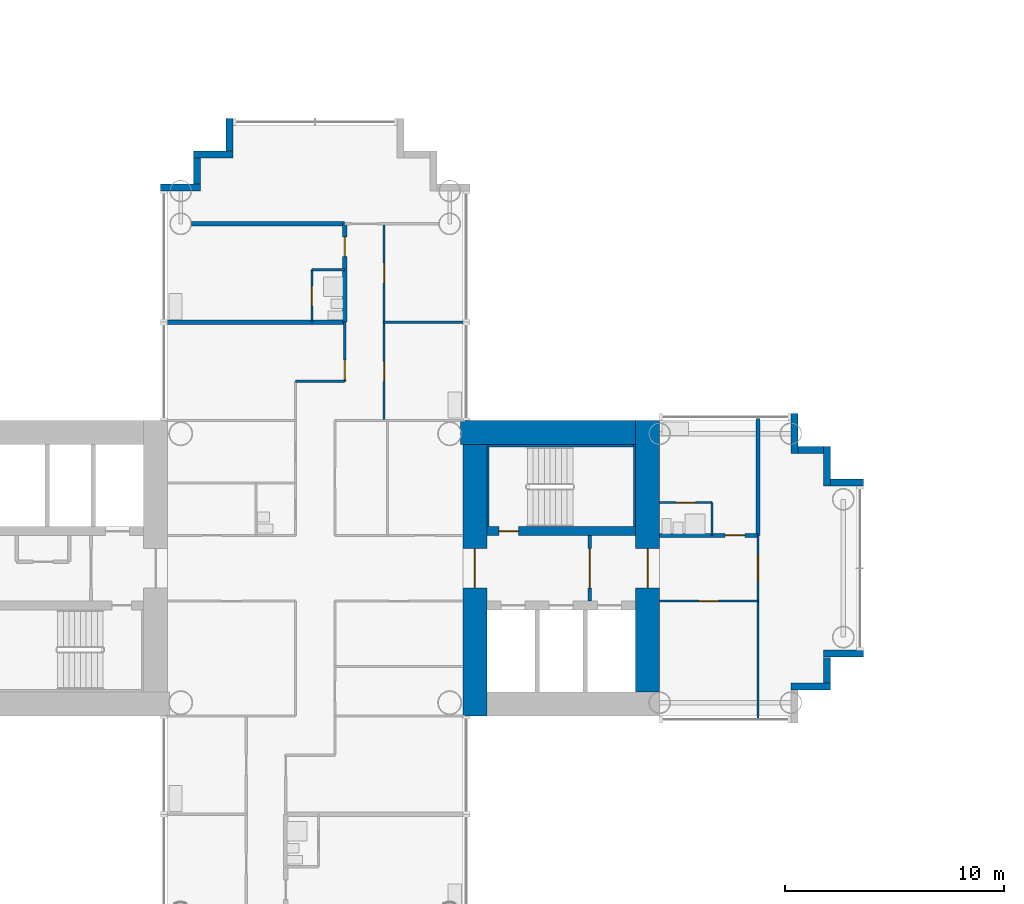
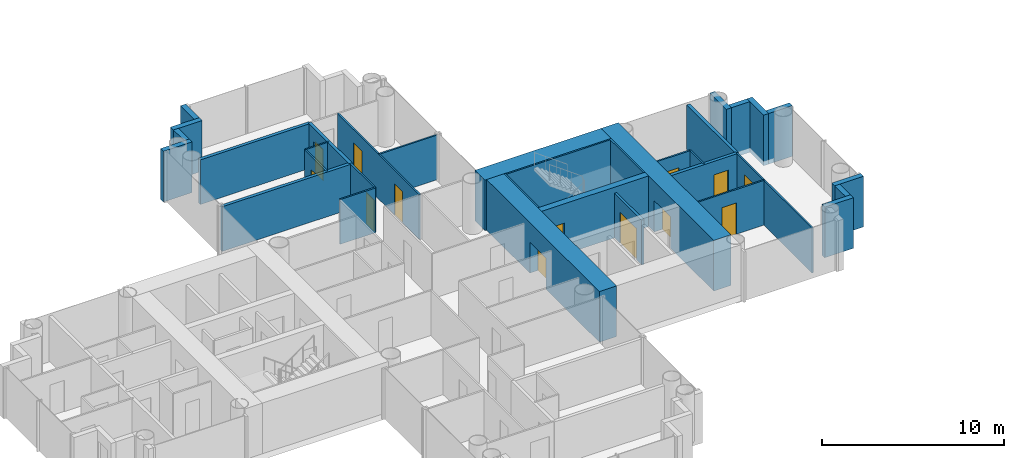
# One storey, part 11 of 22: 34 walls, 13 doors, 13 openings.
"""IFC4 building model written with IfcOpenShell, lengths in metres."""

from ifc_helpers import new_model, si_unit, direction, frame, frame_2d, origin, place, context, subcontext, project, spatial, rectangle, extrude, material, layer, layer_set, type_object, element, fill, save


model = new_model("IFC4")

# Units and contexts
model_context = context("Model", 3, precision=1e-05, world=origin(), true_north=direction((0.0, 1.0)))
body_context = subcontext(model_context, "Body", "Model", "MODEL_VIEW")
ifc_project = project(units=[si_unit("LENGTHUNIT", "METRE"), si_unit("AREAUNIT", "SQUARE_METRE"), si_unit("VOLUMEUNIT", "CUBIC_METRE"), si_unit("PLANEANGLEUNIT", "RADIAN"), si_unit("MASSUNIT", "GRAM", prefix="KILO")], contexts=[model_context])

# Site, building, storey
site_placement = place(None, origin())
site = spatial("IfcSite", under=ifc_project, at=site_placement, CompositionType="ELEMENT")
building_placement = place(site_placement, origin())
building = spatial("IfcBuilding", under=site, at=building_placement, Name="Ipe Terrace Towers", CompositionType="ELEMENT")
storey_placement = place(building_placement, frame((0.0, 0.0, 61.89990234375)))
storey = spatial("IfcBuildingStorey", under=building, at=storey_placement, Name="L16", CompositionType="ELEMENT", Elevation=61.89990234375)

# Walls
ifc_material_1 = material(Name="Concrete C40/50 with buff precast cladding", Category="concrete")
ifc_layer_1 = layer(ifc_material_1, 0.320068359375)
ifc_layer_set_1 = layer_set([ifc_layer_1], Name="BUFF CLADDING WALL 320")
wall_type_1 = type_object("IfcWallType", Name="BUFF CLADDING WALL 320", PredefinedType="STANDARD", material=ifc_layer_set_1)
wall_1_placement = place(storey_placement, frame((-14.25, -5.409912109375, -0.2998046875), z_axis=(0.0, 0.0, 1.0), x_axis=(1.0, 0.0, 0.0)))
element("IfcWall", 1, at=wall_1_placement, inside=storey, type_object=wall_type_1, Name="T1-W-L16-22a wall", PredefinedType="STANDARD", context=body_context, shape_type="SweptSolid", body=[
    extrude(rectangle(XDim=1.820068359375, YDim=0.320068359375, at=frame_2d((0.91015625, 0.0))), origin(), (0.0, 0.0, 1.0), 3.39990234375),
])
wall_2_placement = place(storey_placement, frame((-12.590087890625, -5.25, -0.2998046875), z_axis=(0.0, 0.0, 1.0), x_axis=(0.0, 1.0, 0.0)))
element("IfcWall", 2, at=wall_2_placement, inside=storey, type_object=wall_type_1, Name="T1-W-L16-23a wall", PredefinedType="STANDARD", context=body_context, shape_type="SweptSolid", body=[
    extrude(rectangle(XDim=1.179931640625, YDim=0.320068359375, at=frame_2d((0.58984375, 0.0))), origin(), (0.0, 0.0, 1.0), 3.39990234375),
])
wall_3_placement = place(storey_placement, frame((-12.75, -3.909912109375, -0.2998046875), z_axis=(0.0, 0.0, 1.0), x_axis=(1.0, 0.0, 0.0)))
element("IfcWall", 3, at=wall_3_placement, inside=storey, type_object=wall_type_1, Name="T1-W-L16-24a wall", PredefinedType="STANDARD", context=body_context, shape_type="SweptSolid", body=[
    extrude(rectangle(XDim=1.820068359375, YDim=0.320068359375, at=frame_2d((0.91015625, 0.0))), origin(), (0.0, 0.0, 1.0), 3.39990234375),
])
wall_4_placement = place(storey_placement, frame((-10.929931640625, 3.909912109375, -0.2998046875), z_axis=(0.0, 0.0, 1.0), x_axis=(-1.0, 0.0, 0.0)))
element("IfcWall", 4, at=wall_4_placement, inside=storey, type_object=wall_type_1, Name="T1-W-L16-26a wall", PredefinedType="STANDARD", context=body_context, shape_type="SweptSolid", body=[
    extrude(rectangle(XDim=1.5, YDim=0.320068359375, at=frame_2d((0.75, 0.0))), origin(), (0.0, 0.0, 1.0), 3.39990234375),
])
wall_5_placement = place(storey_placement, frame((-12.590087890625, 3.75, -0.2998046875), z_axis=(0.0, 0.0, 1.0), x_axis=(0.0, 1.0, 0.0)))
element("IfcWall", 5, at=wall_5_placement, inside=storey, type_object=wall_type_1, Name="T1-W-L16-27a wall", PredefinedType="STANDARD", context=body_context, shape_type="SweptSolid", body=[
    extrude(rectangle(XDim=1.820068359375, YDim=0.320068359375, at=frame_2d((0.91015625, 0.0))), origin(), (0.0, 0.0, 1.0), 3.39990234375),
])
wall_6_placement = place(storey_placement, frame((-12.75, 5.409912109375, -0.2998046875), z_axis=(0.0, 0.0, 1.0), x_axis=(-1.0, 0.0, 0.0)))
element("IfcWall", 6, at=wall_6_placement, inside=storey, type_object=wall_type_1, Name="T1-W-L16-28a wall", PredefinedType="STANDARD", context=body_context, shape_type="SweptSolid", body=[
    extrude(rectangle(XDim=1.179931640625, YDim=0.320068359375, at=frame_2d((0.58984375, 0.0))), origin(), (0.0, 0.0, 1.0), 3.39990234375),
])
wall_7_placement = place(storey_placement, frame((-14.090087890625, 5.25, -0.2998046875), z_axis=(0.0, 0.0, 1.0), x_axis=(0.0, 1.0, 0.0)))
element("IfcWall", 7, at=wall_7_placement, inside=storey, type_object=wall_type_1, Name="T1-W-L16-29a wall", PredefinedType="STANDARD", context=body_context, shape_type="SweptSolid", body=[
    extrude(rectangle(XDim=1.820068359375, YDim=0.320068359375, at=frame_2d((0.91015625, 0.0))), origin(), (0.0, 0.0, 1.0), 3.39990234375),
])
wall_8_placement = place(storey_placement, frame((-39.909912109375, 20.570068359375, -0.2998046875), z_axis=(0.0, 0.0, 1.0), x_axis=(0.0, -1.0, 0.0)))
element("IfcWall", 8, at=wall_8_placement, inside=storey, type_object=wall_type_1, Name="T1-W-L16-39a wall", PredefinedType="STANDARD", context=body_context, shape_type="SweptSolid", body=[
    extrude(rectangle(XDim=1.5, YDim=0.320068359375, at=frame_2d((0.75, 0.0))), origin(), (0.0, 0.0, 1.0), 3.39990234375),
])
wall_9_placement = place(storey_placement, frame((-39.75, 18.909912109375, -0.2998046875), z_axis=(0.0, 0.0, 1.0), x_axis=(-1.0, 0.0, 0.0)))
element("IfcWall", 9, at=wall_9_placement, inside=storey, type_object=wall_type_1, Name="T1-W-L16-40a wall", PredefinedType="STANDARD", context=body_context, shape_type="SweptSolid", body=[
    extrude(rectangle(XDim=1.820068359375, YDim=0.320068359375, at=frame_2d((0.91015625, 0.0))), origin(), (0.0, 0.0, 1.0), 3.39990234375),
])
wall_10_placement = place(storey_placement, frame((-41.409912109375, 18.75, -0.2998046875), z_axis=(0.0, 0.0, 1.0), x_axis=(0.0, -1.0, 0.0)))
element("IfcWall", 10, at=wall_10_placement, inside=storey, type_object=wall_type_1, Name="T1-W-L16-41a wall", PredefinedType="STANDARD", context=body_context, shape_type="SweptSolid", body=[
    extrude(rectangle(XDim=1.179931640625, YDim=0.320068359375, at=frame_2d((0.58984375, 0.0))), origin(), (0.0, 0.0, 1.0), 3.39990234375),
])
wall_11_placement = place(storey_placement, frame((-41.25, 17.409912109375, -0.2998046875), z_axis=(0.0, 0.0, 1.0), x_axis=(-1.0, 0.0, 0.0)))
element("IfcWall", 11, at=wall_11_placement, inside=storey, type_object=wall_type_1, Name="T1-W-L16-42a wall", PredefinedType="STANDARD", context=body_context, shape_type="SweptSolid", body=[
    extrude(rectangle(XDim=1.820068359375, YDim=0.320068359375, at=frame_2d((0.91015625, 0.0))), origin(), (0.0, 0.0, 1.0), 3.39990234375),
])

# Wall, opening, door
ifc_material_2 = material(Name="Gypsum board partition", Category="plasterboard")
ifc_layer_2 = layer(ifc_material_2, 0.10009765625)
ifc_layer_set_2 = layer_set([ifc_layer_2], Name="Gypsum board partition 100 mm")
wall_type_2 = type_object("IfcWallType", Name="Gypsum board partition 100 mm", PredefinedType="PARTITIONING", material=ifc_layer_set_2)
wall_12_placement = place(storey_placement, frame((-36.14990234375, 11.25, 0.0), z_axis=(0.0, 0.0, 1.0), x_axis=(0.0, 1.0, 0.0)))
wall_12 = element("IfcWall", 12, at=wall_12_placement, inside=storey, type_object=wall_type_2, Name="Gypsum board partition T1 L16 W11", PredefinedType="PARTITIONING", context=body_context, shape_type="SweptSolid", body=[
    extrude(rectangle(XDim=2.39990234375, YDim=0.10009765625, at=frame_2d((1.199951171875, 0.0))), origin(), (0.0, 0.0, 1.0), 3.0),
])
opening_1_placement = place(wall_12_placement, frame((0.75, 0.0, 0.0)))
opening_1 = element("IfcOpeningElement", 13, at=opening_1_placement, cuts=wall_12, Name="Opening T1-Z1D-11", PredefinedType="OPENING", context=body_context, shape_type="SweptSolid", body=[
    extrude(rectangle(XDim=0.89990234375, YDim=2.10009765625, at=frame_2d((0.449951171875, 1.050048828125))), frame((0.0, 0.06005859375, 0.0), z_axis=(0.0, -1.0, 0.0), x_axis=(1.0, 0.0, 0.0)), (0.0, 0.0, 1.0), 0.1201171875),
])
ifc_material_3 = material(Name="Timber door leaf", Category="wood")
door_type_1 = type_object("IfcDoorType", Name="Bathroom door 900 x 2100", OperationType="NOTDEFINED", PredefinedType="DOOR", material=ifc_material_3)
door_1_placement = place(opening_1_placement, origin())
door_1 = element("IfcDoor", 14, at=door_1_placement, inside=storey, type_object=door_type_1, Name="Bathroom door T1-Z1D-11", OperationType="SINGLE_SWING_LEFT", OverallHeight=2.10009765625, OverallWidth=0.89990234375, PredefinedType="DOOR", context=body_context, shape_type="SweptSolid", body=[
    extrude(rectangle(XDim=0.89990234375, YDim=2.10009765625, at=frame_2d((0.449951171875, 1.050048828125))), frame((0.0, 0.02490234375, 0.0), z_axis=(0.0, -1.0, 0.0), x_axis=(1.0, 0.0, 0.0)), (0.0, 0.0, 1.0), 0.050048828125),
])
fill(opening_1, door_1)

wall_13_placement = place(storey_placement, frame((-34.64990234375, 8.550048828125, 0.0), z_axis=(0.0, 0.0, 1.0), x_axis=(0.0, 1.0, 0.0)))
wall_13 = element("IfcWall", 15, at=wall_13_placement, inside=storey, type_object=wall_type_2, Name="Gypsum board partition T1 L16 W15", PredefinedType="PARTITIONING", context=body_context, shape_type="SweptSolid", body=[
    extrude(rectangle(XDim=2.699951171875, YDim=0.10009765625, at=frame_2d((1.35009765625, 0.0))), origin(), (0.0, 0.0, 1.0), 3.0),
])
opening_2_placement = place(wall_13_placement, frame((0.070068359375, 0.0, 0.0)))
opening_2 = element("IfcOpeningElement", 16, at=opening_2_placement, cuts=wall_13, Name="Opening T1-Z1D-09", PredefinedType="OPENING", context=body_context, shape_type="SweptSolid", body=[
    extrude(rectangle(XDim=0.89990234375, YDim=2.10009765625, at=frame_2d((0.449951171875, 1.050048828125))), frame((0.0, 0.06005859375, 0.0), z_axis=(0.0, -1.0, 0.0), x_axis=(1.0, 0.0, 0.0)), (0.0, 0.0, 1.0), 0.1201171875),
])
ifc_material_4 = material(Name="Timber door leaf", Category="wood")
door_type_2 = type_object("IfcDoorType", Name="Lounge door 900 x 2100", OperationType="NOTDEFINED", PredefinedType="DOOR", material=ifc_material_4)
door_2_placement = place(opening_2_placement, origin())
door_2 = element("IfcDoor", 17, at=door_2_placement, inside=storey, type_object=door_type_2, Name="Lounge door T1-Z1D-09", OperationType="SINGLE_SWING_RIGHT", OverallHeight=2.10009765625, OverallWidth=0.89990234375, PredefinedType="DOOR", context=body_context, shape_type="SweptSolid", body=[
    extrude(rectangle(XDim=0.89990234375, YDim=2.10009765625, at=frame_2d((0.449951171875, 1.050048828125))), frame((0.0, 0.02490234375, 0.0), z_axis=(0.0, -1.0, 0.0), x_axis=(1.0, 0.0, 0.0)), (0.0, 0.0, 1.0), 0.050048828125),
])
fill(opening_2, door_2)

# Wall, openings, doors
wall_14_placement = place(storey_placement, frame((-32.85009765625, 6.75, 0.0), z_axis=(0.0, 0.0, 1.0), x_axis=(0.0, 1.0, 0.0)))
wall_14 = element("IfcWall", 18, at=wall_14_placement, inside=storey, type_object=wall_type_2, Name="Gypsum board partition T1 L16 W17", PredefinedType="PARTITIONING", context=body_context, shape_type="SweptSolid", body=[
    extrude(rectangle(XDim=9.0, YDim=0.10009765625, at=frame_2d((4.5, 0.0))), origin(), (0.0, 0.0, 1.0), 3.0),
])
opening_3_placement = place(wall_14_placement, frame((1.800048828125, 0.0, 0.0)))
opening_3 = element("IfcOpeningElement", 19, at=opening_3_placement, cuts=wall_14, Name="Opening T1-Z1D-12", PredefinedType="OPENING", context=body_context, shape_type="SweptSolid", body=[
    extrude(rectangle(XDim=0.89990234375, YDim=2.10009765625, at=frame_2d((0.449951171875, 1.050048828125))), frame((0.0, 0.06005859375, 0.0), z_axis=(0.0, -1.0, 0.0), x_axis=(1.0, 0.0, 0.0)), (0.0, 0.0, 1.0), 0.1201171875),
])
opening_4_placement = place(wall_14_placement, frame((6.300048828125, 0.0, 0.0)))
opening_4 = element("IfcOpeningElement", 20, at=opening_4_placement, cuts=wall_14, Name="Opening T1-Z1D-13", PredefinedType="OPENING", context=body_context, shape_type="SweptSolid", body=[
    extrude(rectangle(XDim=0.89990234375, YDim=2.10009765625, at=frame_2d((0.449951171875, 1.050048828125))), frame((0.0, 0.06005859375, 0.0), z_axis=(0.0, -1.0, 0.0), x_axis=(1.0, 0.0, 0.0)), (0.0, 0.0, 1.0), 0.1201171875),
])
door_3_placement = place(opening_3_placement, origin())
door_3 = element("IfcDoor", 21, at=door_3_placement, inside=storey, type_object=door_type_2, Name="Lounge door T1-Z1D-12", OperationType="SINGLE_SWING_LEFT", OverallHeight=2.10009765625, OverallWidth=0.89990234375, PredefinedType="DOOR", context=body_context, shape_type="SweptSolid", body=[
    extrude(rectangle(XDim=0.89990234375, YDim=2.10009765625, at=frame_2d((0.449951171875, 1.050048828125))), frame((0.0, 0.02490234375, 0.0), z_axis=(0.0, -1.0, 0.0), x_axis=(1.0, 0.0, 0.0)), (0.0, 0.0, 1.0), 0.050048828125),
])
fill(opening_3, door_3)
door_4_placement = place(opening_4_placement, origin())
door_4 = element("IfcDoor", 22, at=door_4_placement, inside=storey, type_object=door_type_2, Name="Lounge door T1-Z1D-13", OperationType="SINGLE_SWING_RIGHT", OverallHeight=2.10009765625, OverallWidth=0.89990234375, PredefinedType="DOOR", context=body_context, shape_type="SweptSolid", body=[
    extrude(rectangle(XDim=0.89990234375, YDim=2.10009765625, at=frame_2d((0.449951171875, 1.050048828125))), frame((0.0, 0.02490234375, 0.0), z_axis=(0.0, -1.0, 0.0), x_axis=(1.0, 0.0, 0.0)), (0.0, 0.0, 1.0), 0.050048828125),
])
fill(opening_4, door_4)

# Wall
wall_15_placement = place(storey_placement, frame((-17.85009765625, 1.5, 0.0), z_axis=(0.0, 0.0, 1.0), x_axis=(0.0, 1.0, 0.0)))
element("IfcWall", 23, at=wall_15_placement, inside=storey, type_object=wall_type_2, Name="Gypsum board partition T1 L16 W19", PredefinedType="PARTITIONING", context=body_context, shape_type="SweptSolid", body=[
    extrude(rectangle(XDim=1.5, YDim=0.10009765625, at=frame_2d((0.75, 0.0))), origin(), (0.0, 0.0, 1.0), 3.0),
])

# Wall, opening, door
wall_16_placement = place(storey_placement, frame((-15.75, -6.85009765625, 0.0), z_axis=(0.0, 0.0, 1.0), x_axis=(0.0, 1.0, 0.0)))
wall_16 = element("IfcWall", 24, at=wall_16_placement, inside=storey, type_object=wall_type_2, Name="Gypsum board partition T1 L16 W20", PredefinedType="PARTITIONING", context=body_context, shape_type="SweptSolid", body=[
    extrude(rectangle(XDim=8.35009765625, YDim=0.10009765625, at=frame_2d((4.175048828125, 0.0))), origin(), (0.0, 0.0, 1.0), 3.0),
])
opening_5_placement = place(wall_16_placement, frame((6.25, 0.0, 0.0)))
opening_5 = element("IfcOpeningElement", 25, at=opening_5_placement, cuts=wall_16, Name="Opening T1-Z1D-24", PredefinedType="OPENING", context=body_context, shape_type="SweptSolid", body=[
    extrude(rectangle(XDim=1.199951171875, YDim=2.10009765625, at=frame_2d((0.60009765625, 1.050048828125))), frame((0.0, 0.06005859375, 0.0), z_axis=(0.0, -1.0, 0.0), x_axis=(1.0, 0.0, 0.0)), (0.0, 0.0, 1.0), 0.1201171875),
])
ifc_material_5 = material(Name="Timber door leaf", Category="wood")
door_type_3 = type_object("IfcDoorType", Name="Lounge door 1200 x 2100", OperationType="NOTDEFINED", PredefinedType="DOOR", material=ifc_material_5)
door_5_placement = place(opening_5_placement, origin())
door_5 = element("IfcDoor", 26, at=door_5_placement, inside=storey, type_object=door_type_3, Name="Lounge door T1-Z1D-24", OperationType="SINGLE_SWING_RIGHT", OverallHeight=2.10009765625, OverallWidth=1.199951171875, PredefinedType="DOOR", context=body_context, shape_type="SweptSolid", body=[
    extrude(rectangle(XDim=1.199951171875, YDim=2.10009765625, at=frame_2d((0.60009765625, 1.050048828125))), frame((0.0, 0.02490234375, 0.0), z_axis=(0.0, -1.0, 0.0), x_axis=(1.0, 0.0, 0.0)), (0.0, 0.0, 1.0), 0.050048828125),
])
fill(opening_5, door_5)

wall_17_placement = place(storey_placement, frame((-20.25, -1.5, 0.0), z_axis=(0.0, 0.0, 1.0), x_axis=(1.0, 0.0, 0.0)))
wall_17 = element("IfcWall", 27, at=wall_17_placement, inside=storey, type_object=wall_type_2, Name="Gypsum board partition T1 L16 W35", PredefinedType="PARTITIONING", context=body_context, shape_type="SweptSolid", body=[
    extrude(rectangle(XDim=4.5, YDim=0.10009765625, at=frame_2d((2.25, 0.0))), origin(), (0.0, 0.0, 1.0), 3.0),
])
opening_6_placement = place(wall_17_placement, frame((1.800048828125, 0.0, 0.0)))
opening_6 = element("IfcOpeningElement", 28, at=opening_6_placement, cuts=wall_17, Name="Opening T1-Z1D-23", PredefinedType="OPENING", context=body_context, shape_type="SweptSolid", body=[
    extrude(rectangle(XDim=0.89990234375, YDim=2.10009765625, at=frame_2d((0.449951171875, 1.050048828125))), frame((0.0, 0.06005859375, 0.0), z_axis=(0.0, -1.0, 0.0), x_axis=(1.0, 0.0, 0.0)), (0.0, 0.0, 1.0), 0.1201171875),
])
door_6_placement = place(opening_6_placement, origin())
door_6 = element("IfcDoor", 29, at=door_6_placement, inside=storey, type_object=door_type_2, Name="Lounge door T1-Z1D-23", OperationType="SINGLE_SWING_RIGHT", OverallHeight=2.10009765625, OverallWidth=0.89990234375, PredefinedType="DOOR", context=body_context, shape_type="SweptSolid", body=[
    extrude(rectangle(XDim=0.89990234375, YDim=2.10009765625, at=frame_2d((0.449951171875, 1.050048828125))), frame((0.0, 0.02490234375, 0.0), z_axis=(0.0, -1.0, 0.0), x_axis=(1.0, 0.0, 0.0)), (0.0, 0.0, 1.0), 0.050048828125),
])
fill(opening_6, door_6)

wall_18_placement = place(storey_placement, frame((-20.25, 3.0, 0.0), z_axis=(0.0, 0.0, 1.0), x_axis=(1.0, 0.0, 0.0)))
wall_18 = element("IfcWall", 30, at=wall_18_placement, inside=storey, type_object=wall_type_2, Name="Gypsum board partition T1 L16 W43", PredefinedType="PARTITIONING", context=body_context, shape_type="SweptSolid", body=[
    extrude(rectangle(XDim=2.39990234375, YDim=0.10009765625, at=frame_2d((1.199951171875, 0.0))), origin(), (0.0, 0.0, 1.0), 3.0),
])
opening_7_placement = place(wall_18_placement, frame((0.75, 0.0, 0.0)))
opening_7 = element("IfcOpeningElement", 31, at=opening_7_placement, cuts=wall_18, Name="Opening T1-Z1D-22", PredefinedType="OPENING", context=body_context, shape_type="SweptSolid", body=[
    extrude(rectangle(XDim=0.89990234375, YDim=2.10009765625, at=frame_2d((0.449951171875, 1.050048828125))), frame((0.0, 0.06005859375, 0.0), z_axis=(0.0, -1.0, 0.0), x_axis=(1.0, 0.0, 0.0)), (0.0, 0.0, 1.0), 0.1201171875),
])
door_7_placement = place(opening_7_placement, origin())
door_7 = element("IfcDoor", 32, at=door_7_placement, inside=storey, type_object=door_type_1, Name="Bathroom door T1-Z1D-22", OperationType="SINGLE_SWING_RIGHT", OverallHeight=2.10009765625, OverallWidth=0.89990234375, PredefinedType="DOOR", context=body_context, shape_type="SweptSolid", body=[
    extrude(rectangle(XDim=0.89990234375, YDim=2.10009765625, at=frame_2d((0.449951171875, 1.050048828125))), frame((0.0, 0.02490234375, 0.0), z_axis=(0.0, -1.0, 0.0), x_axis=(1.0, 0.0, 0.0)), (0.0, 0.0, 1.0), 0.050048828125),
])
fill(opening_7, door_7)

# Walls
wall_19_placement = place(storey_placement, frame((-36.89990234375, 8.550048828125, 0.0), z_axis=(0.0, 0.0, 1.0), x_axis=(1.0, 0.0, 0.0)))
element("IfcWall", 33, at=wall_19_placement, inside=storey, type_object=wall_type_2, Name="Gypsum board partition T1 L16 W48", PredefinedType="PARTITIONING", context=body_context, shape_type="SweptSolid", body=[
    extrude(rectangle(XDim=2.25, YDim=0.10009765625, at=frame_2d((1.125, 0.0))), origin(), (0.0, 0.0, 1.0), 3.0),
])
wall_20_placement = place(storey_placement, frame((-32.85009765625, 11.25, 0.0), z_axis=(0.0, 0.0, 1.0), x_axis=(1.0, 0.0, 0.0)))
element("IfcWall", 34, at=wall_20_placement, inside=storey, type_object=wall_type_2, Name="Gypsum board partition T1 L16 W49", PredefinedType="PARTITIONING", context=body_context, shape_type="SweptSolid", body=[
    extrude(rectangle(XDim=3.7001953125, YDim=0.10009765625, at=frame_2d((1.85009765625, 0.0))), origin(), (0.0, 0.0, 1.0), 3.0),
])
wall_21_placement = place(storey_placement, frame((-36.14990234375, 13.64990234375, 0.0), z_axis=(0.0, 0.0, 1.0), x_axis=(1.0, 0.0, 0.0)))
element("IfcWall", 35, at=wall_21_placement, inside=storey, type_object=wall_type_2, Name="Gypsum board partition T1 L16 W51", PredefinedType="PARTITIONING", context=body_context, shape_type="SweptSolid", body=[
    extrude(rectangle(XDim=1.5, YDim=0.10009765625, at=frame_2d((0.75, 0.0))), origin(), (0.0, 0.0, 1.0), 3.0),
])

# Wall, opening, door
ifc_material_6 = material(Name="Gypsum board partition", Category="plasterboard")
ifc_layer_3 = layer(ifc_material_6, 0.14990234375)
ifc_layer_set_3 = layer_set([ifc_layer_3], Name="Gypsum board partition 150 mm")
wall_type_3 = type_object("IfcWallType", Name="Gypsum board partition 150 mm", PredefinedType="PARTITIONING", material=ifc_layer_set_3)
wall_22_placement = place(storey_placement, frame((-23.449951171875, -1.5, 0.0), z_axis=(0.0, 0.0, 1.0), x_axis=(0.0, 1.0, 0.0)))
wall_22 = element("IfcWall", 36, at=wall_22_placement, inside=storey, type_object=wall_type_3, Name="Gypsum board partition T1 L16 t1c1-lobby-wall", PredefinedType="PARTITIONING", context=body_context, shape_type="SweptSolid", body=[
    extrude(rectangle(XDim=3.0, YDim=0.14990234375, at=frame_2d((1.5, 0.0))), origin(), (0.0, 0.0, 1.0), 3.0),
])
opening_8_placement = place(wall_22_placement, frame((0.60009765625, 0.0, 0.0)))
opening_8 = element("IfcOpeningElement", 37, at=opening_8_placement, cuts=wall_22, Name="Opening T1C1-VD", PredefinedType="OPENING", context=body_context, shape_type="SweptSolid", body=[
    extrude(rectangle(XDim=1.800048828125, YDim=2.10009765625, at=frame_2d((0.89990234375, 1.050048828125))), frame((0.0, 0.0849609375, 0.0), z_axis=(0.0, -1.0, 0.0), x_axis=(1.0, 0.0, 0.0)), (0.0, 0.0, 1.0), 0.169921875),
])
ifc_material_7 = material(Name="Fire-rated timber door leaf", Category="wood")
door_type_4 = type_object("IfcDoorType", Name="Lobby door 1800 x 2100 FD60", OperationType="NOTDEFINED", PredefinedType="DOOR", material=ifc_material_7)
door_8_placement = place(opening_8_placement, origin())
door_8 = element("IfcDoor", 38, at=door_8_placement, inside=storey, type_object=door_type_4, Name="Lobby door T1C1-VD", OperationType="SINGLE_SWING_LEFT", OverallHeight=2.10009765625, OverallWidth=1.800048828125, PredefinedType="DOOR", context=body_context, shape_type="SweptSolid", body=[
    extrude(rectangle(XDim=1.800048828125, YDim=2.10009765625, at=frame_2d((0.89990234375, 1.050048828125))), frame((0.0, 0.02490234375, 0.0), z_axis=(0.0, -1.0, 0.0), x_axis=(1.0, 0.0, 0.0)), (0.0, 0.0, 1.0), 0.050048828125),
])
fill(opening_8, door_8)

ifc_material_8 = material(Name="Gypsum board party wall", Category="plasterboard")
ifc_layer_4 = layer(ifc_material_8, 0.199951171875)
ifc_layer_set_4 = layer_set([ifc_layer_4], Name="Gypsum board party wall 200 mm")
wall_type_4 = type_object("IfcWallType", Name="Gypsum board party wall 200 mm", PredefinedType="SOLIDWALL", material=ifc_layer_set_4)
wall_23_placement = place(storey_placement, frame((-34.64990234375, 11.25, 0.0), z_axis=(0.0, 0.0, 1.0), x_axis=(0.0, 1.0, 0.0)))
wall_23 = element("IfcWall", 39, at=wall_23_placement, inside=storey, type_object=wall_type_4, Name="Gypsum board party wall T1 L16 W16", PredefinedType="SOLIDWALL", context=body_context, shape_type="SweptSolid", body=[
    extrude(rectangle(XDim=4.5, YDim=0.199951171875, at=frame_2d((2.25, 0.0))), origin(), (0.0, 0.0, 1.0), 3.0),
])
opening_9_placement = place(wall_23_placement, frame((3.0, 0.0, 0.0)))
opening_9 = element("IfcOpeningElement", 40, at=opening_9_placement, cuts=wall_23, Name="Opening T1-Z1D-10", PredefinedType="OPENING", context=body_context, shape_type="SweptSolid", body=[
    extrude(rectangle(XDim=0.89990234375, YDim=2.10009765625, at=frame_2d((0.449951171875, 1.050048828125))), frame((0.0, 0.10986328125, 0.0), z_axis=(0.0, -1.0, 0.0), x_axis=(1.0, 0.0, 0.0)), (0.0, 0.0, 1.0), 0.219970703125),
])
ifc_material_9 = material(Name="Fire-rated timber door leaf", Category="wood")
door_type_5 = type_object("IfcDoorType", Name="Flat entrance door 900 x 2100 FD30S", OperationType="NOTDEFINED", PredefinedType="DOOR", material=ifc_material_9)
door_9_placement = place(opening_9_placement, origin())
door_9 = element("IfcDoor", 41, at=door_9_placement, inside=storey, type_object=door_type_5, Name="Flat entrance door T1-Z1D-10", OperationType="SINGLE_SWING_LEFT", OverallHeight=2.10009765625, OverallWidth=0.89990234375, PredefinedType="DOOR", context=body_context, shape_type="SweptSolid", body=[
    extrude(rectangle(XDim=0.89990234375, YDim=2.10009765625, at=frame_2d((0.449951171875, 1.050048828125))), frame((0.0, 0.02490234375, 0.0), z_axis=(0.0, -1.0, 0.0), x_axis=(1.0, 0.0, 0.0)), (0.0, 0.0, 1.0), 0.050048828125),
])
fill(opening_9, door_9)

# Wall
wall_24_placement = place(storey_placement, frame((-15.75, 1.5, 0.0), z_axis=(0.0, 0.0, 1.0), x_axis=(0.0, 1.0, 0.0)))
element("IfcWall", 42, at=wall_24_placement, inside=storey, type_object=wall_type_4, Name="Gypsum board party wall T1 L16 W21", PredefinedType="SOLIDWALL", context=body_context, shape_type="SweptSolid", body=[
    extrude(rectangle(XDim=5.35009765625, YDim=0.199951171875, at=frame_2d((2.675048828125, 0.0))), origin(), (0.0, 0.0, 1.0), 3.0),
])

# Wall, opening, door
wall_25_placement = place(storey_placement, frame((-20.25, 1.5, 0.0), z_axis=(0.0, 0.0, 1.0), x_axis=(1.0, 0.0, 0.0)))
wall_25 = element("IfcWall", 43, at=wall_25_placement, inside=storey, type_object=wall_type_4, Name="Gypsum board party wall T1 L16 W41", PredefinedType="SOLIDWALL", context=body_context, shape_type="SweptSolid", body=[
    extrude(rectangle(XDim=4.5, YDim=0.199951171875, at=frame_2d((2.25, 0.0))), origin(), (0.0, 0.0, 1.0), 3.0),
])
opening_10_placement = place(wall_25_placement, frame((3.0, 0.0, 0.0)))
opening_10 = element("IfcOpeningElement", 44, at=opening_10_placement, cuts=wall_25, Name="Opening T1-Z1D-21", PredefinedType="OPENING", context=body_context, shape_type="SweptSolid", body=[
    extrude(rectangle(XDim=0.89990234375, YDim=2.10009765625, at=frame_2d((0.449951171875, 1.050048828125))), frame((0.0, 0.10986328125, 0.0), z_axis=(0.0, -1.0, 0.0), x_axis=(1.0, 0.0, 0.0)), (0.0, 0.0, 1.0), 0.219970703125),
])
door_10_placement = place(opening_10_placement, origin())
door_10 = element("IfcDoor", 45, at=door_10_placement, inside=storey, type_object=door_type_5, Name="Flat entrance door T1-Z1D-21", OperationType="SINGLE_SWING_LEFT", OverallHeight=2.10009765625, OverallWidth=0.89990234375, PredefinedType="DOOR", context=body_context, shape_type="SweptSolid", body=[
    extrude(rectangle(XDim=0.89990234375, YDim=2.10009765625, at=frame_2d((0.449951171875, 1.050048828125))), frame((0.0, 0.02490234375, 0.0), z_axis=(0.0, -1.0, 0.0), x_axis=(1.0, 0.0, 0.0)), (0.0, 0.0, 1.0), 0.050048828125),
])
fill(opening_10, door_10)

# Walls
wall_26_placement = place(storey_placement, frame((-42.85009765625, 11.25, 0.0), z_axis=(0.0, 0.0, 1.0), x_axis=(1.0, 0.0, 0.0)))
element("IfcWall", 46, at=wall_26_placement, inside=storey, type_object=wall_type_4, Name="Gypsum board party wall T1 L16 W50", PredefinedType="SOLIDWALL", context=body_context, shape_type="SweptSolid", body=[
    extrude(rectangle(XDim=8.2001953125, YDim=0.199951171875, at=frame_2d((4.10009765625, 0.0))), origin(), (0.0, 0.0, 1.0), 3.0),
])
wall_27_placement = place(storey_placement, frame((-41.64990234375, 15.75, 0.0), z_axis=(0.0, 0.0, 1.0), x_axis=(1.0, 0.0, 0.0)))
element("IfcWall", 47, at=wall_27_placement, inside=storey, type_object=wall_type_4, Name="Gypsum board party wall T1 L16 W53", PredefinedType="SOLIDWALL", context=body_context, shape_type="SweptSolid", body=[
    extrude(rectangle(XDim=7.0, YDim=0.199951171875, at=frame_2d((3.5, 0.0))), origin(), (0.0, 0.0, 1.0), 3.0),
])
ifc_material_10 = material(Name="Concrete C60/75", Category="concrete")
ifc_layer_5 = layer(ifc_material_10, 0.10009765625)
ifc_layer_set_5 = layer_set([ifc_layer_5], Name="RW100 CORE INFILL WALL 100 C60-75")
wall_type_5 = type_object("IfcWallType", Name="RW100 CORE INFILL WALL 100 C60-75", PredefinedType="SHEAR", material=ifc_layer_set_5)
wall_28_placement = place(storey_placement, frame((-21.39990234375, 1.89990234375, 0.0), z_axis=(0.0, 0.0, 1.0), x_axis=(0.0, 1.0, 0.0)))
element("IfcWall", 48, at=wall_28_placement, inside=storey, type_object=wall_type_5, Name="Core infill wall T1-C1-far", PredefinedType="SHEAR", context=body_context, shape_type="SweptSolid", body=[
    extrude(rectangle(XDim=3.75, YDim=0.10009765625, at=frame_2d((1.875, 0.0))), origin(), (0.0, 0.0, 1.0), 3.400146484375),
])
wall_29_placement = place(storey_placement, frame((-28.050048828125, 5.60009765625, 0.0), z_axis=(0.0, 0.0, 1.0), x_axis=(1.0, 0.0, 0.0)))
element("IfcWall", 49, at=wall_29_placement, inside=storey, type_object=wall_type_5, Name="Core infill wall T1-C1-back", PredefinedType="SHEAR", context=body_context, shape_type="SweptSolid", body=[
    extrude(rectangle(XDim=6.60009765625, YDim=0.10009765625, at=frame_2d((3.300048828125, 0.0))), origin(), (0.0, 0.0, 1.0), 3.400146484375),
])
wall_30_placement = place(storey_placement, frame((-28.10009765625, 1.89990234375, 0.0), z_axis=(0.0, 0.0, 1.0), x_axis=(0.0, 1.0, 0.0)))
element("IfcWall", 50, at=wall_30_placement, inside=storey, type_object=wall_type_5, Name="Core infill wall T1-C1-near", PredefinedType="SHEAR", context=body_context, shape_type="SweptSolid", body=[
    extrude(rectangle(XDim=3.75, YDim=0.10009765625, at=frame_2d((1.875, 0.0))), origin(), (0.0, 0.0, 1.0), 3.400146484375),
])

# Wall, opening, door
ifc_material_11 = material(Name="Concrete C60/75", Category="concrete")
ifc_layer_6 = layer(ifc_material_11, 1.10009765625)
ifc_layer_set_6 = layer_set([ifc_layer_6], Name="RW1100 CORE WALL 1100 C60-75")
wall_type_6 = type_object("IfcWallType", Name="RW1100 CORE WALL 1100 C60-75", PredefinedType="SHEAR", material=ifc_layer_set_6)
wall_31_placement = place(storey_placement, frame((-20.800048828125, -5.64990234375, 0.0), z_axis=(0.0, 0.0, 1.0), x_axis=(0.0, 1.0, 0.0)))
wall_31 = element("IfcWall", 51, at=wall_31_placement, inside=storey, type_object=wall_type_6, Name="Core wall T1-C1-Z1-W02", PredefinedType="SHEAR", context=body_context, shape_type="SweptSolid", body=[
    extrude(rectangle(XDim=12.39990234375, YDim=1.10009765625, at=frame_2d((6.199951171875, 0.0))), origin(), (0.0, 0.0, 1.0), 3.400146484375),
])
opening_11_placement = place(wall_31_placement, frame((4.75, 0.0, 0.0)))
opening_11 = element("IfcOpeningElement", 52, at=opening_11_placement, cuts=wall_31, Name="Opening T1C1-FD", PredefinedType="OPENING", context=body_context, shape_type="SweptSolid", body=[
    extrude(rectangle(XDim=1.800048828125, YDim=2.10009765625, at=frame_2d((0.89990234375, 1.050048828125))), frame((0.0, 0.56005859375, 0.0), z_axis=(0.0, -1.0, 0.0), x_axis=(1.0, 0.0, 0.0)), (0.0, 0.0, 1.0), 1.1201171875),
])
ifc_material_12 = material(Name="Fire-rated timber door leaf", Category="wood")
door_type_6 = type_object("IfcDoorType", Name="Fire door 1800 x 2100 FD30S", OperationType="NOTDEFINED", PredefinedType="DOOR", material=ifc_material_12)
door_11_placement = place(opening_11_placement, origin())
door_11 = element("IfcDoor", 53, at=door_11_placement, inside=storey, type_object=door_type_6, Name="Fire door T1C1-FD", OperationType="SINGLE_SWING_LEFT", OverallHeight=2.10009765625, OverallWidth=1.800048828125, PredefinedType="DOOR", context=body_context, shape_type="SweptSolid", body=[
    extrude(rectangle(XDim=1.800048828125, YDim=2.10009765625, at=frame_2d((0.89990234375, 1.050048828125))), frame((0.0, 0.02490234375, 0.0), z_axis=(0.0, -1.0, 0.0), x_axis=(1.0, 0.0, 0.0)), (0.0, 0.0, 1.0), 0.050048828125),
])
fill(opening_11, door_11)

# Wall
wall_32_placement = place(storey_placement, frame((-21.35009765625, 6.199951171875, 0.0), z_axis=(0.0, 0.0, 1.0), x_axis=(-1.0, 0.0, 0.0)))
element("IfcWall", 54, at=wall_32_placement, inside=storey, type_object=wall_type_6, Name="Core wall T1-C1-Z1-W03", PredefinedType="SHEAR", context=body_context, shape_type="SweptSolid", body=[
    extrude(rectangle(XDim=7.997802734375, YDim=1.10009765625, at=frame_2d((3.9990234375, 0.0))), origin(), (0.0, 0.0, 1.0), 3.400146484375),
])

# Wall, opening, door
wall_33_placement = place(storey_placement, frame((-28.699951171875, 5.64990234375, 0.0), z_axis=(0.0, 0.0, 1.0), x_axis=(0.0, -1.0, 0.0)))
wall_33 = element("IfcWall", 55, at=wall_33_placement, inside=storey, type_object=wall_type_6, Name="Core wall T1-C1-Z1-W04", PredefinedType="SHEAR", context=body_context, shape_type="SweptSolid", body=[
    extrude(rectangle(XDim=12.39990234375, YDim=1.10009765625, at=frame_2d((6.199951171875, 0.0))), origin(), (0.0, 0.0, 1.0), 3.400146484375),
])
opening_12_placement = place(wall_33_placement, frame((4.75, 0.0, 0.0)))
opening_12 = element("IfcOpeningElement", 56, at=opening_12_placement, cuts=wall_33, Name="Opening T1C1-ND", PredefinedType="OPENING", context=body_context, shape_type="SweptSolid", body=[
    extrude(rectangle(XDim=1.800048828125, YDim=2.10009765625, at=frame_2d((0.89990234375, 1.050048828125))), frame((0.0, 0.56005859375, 0.0), z_axis=(0.0, -1.0, 0.0), x_axis=(1.0, 0.0, 0.0)), (0.0, 0.0, 1.0), 1.1201171875),
])
door_12_placement = place(opening_12_placement, origin())
door_12 = element("IfcDoor", 57, at=door_12_placement, inside=storey, type_object=door_type_6, Name="Fire door T1C1-ND", OperationType="SINGLE_SWING_LEFT", OverallHeight=2.10009765625, OverallWidth=1.800048828125, PredefinedType="DOOR", context=body_context, shape_type="SweptSolid", body=[
    extrude(rectangle(XDim=1.800048828125, YDim=2.10009765625, at=frame_2d((0.89990234375, 1.050048828125))), frame((0.0, 0.02490234375, 0.0), z_axis=(0.0, -1.0, 0.0), x_axis=(1.0, 0.0, 0.0)), (0.0, 0.0, 1.0), 0.050048828125),
])
fill(opening_12, door_12)

ifc_material_13 = material(Name="Concrete C60/75", Category="concrete")
ifc_layer_7 = layer(ifc_material_13, 0.39990234375)
ifc_layer_set_7 = layer_set([ifc_layer_7], Name="RW400 CORE SPINE WALL 400 C60-75")
wall_type_7 = type_object("IfcWallType", Name="RW400 CORE SPINE WALL 400 C60-75", PredefinedType="SHEAR", material=ifc_layer_set_7)
wall_34_placement = place(storey_placement, frame((-28.14990234375, 1.699951171875, 0.0), z_axis=(0.0, 0.0, 1.0), x_axis=(1.0, 0.0, 0.0)))
wall_34 = element("IfcWall", 58, at=wall_34_placement, inside=storey, type_object=wall_type_7, Name="Core spine wall T1-C1-Z1-SW2", PredefinedType="SHEAR", context=body_context, shape_type="SweptSolid", body=[
    extrude(rectangle(XDim=6.7998046875, YDim=0.39990234375, at=frame_2d((3.39990234375, 0.0))), origin(), (0.0, 0.0, 1.0), 3.400146484375),
])
opening_13_placement = place(wall_34_placement, frame((0.550048828125, 0.0, 0.0)))
opening_13 = element("IfcOpeningElement", 59, at=opening_13_placement, cuts=wall_34, Name="Opening T1C1-SD", PredefinedType="OPENING", context=body_context, shape_type="SweptSolid", body=[
    extrude(rectangle(XDim=0.89990234375, YDim=2.10009765625, at=frame_2d((0.449951171875, 1.050048828125))), frame((0.0, 0.2099609375, 0.0), z_axis=(0.0, -1.0, 0.0), x_axis=(1.0, 0.0, 0.0)), (0.0, 0.0, 1.0), 0.419921875),
])
ifc_material_14 = material(Name="Fire-rated timber door leaf", Category="wood")
door_type_7 = type_object("IfcDoorType", Name="Stair door 900 x 2100 FD60", OperationType="NOTDEFINED", PredefinedType="DOOR", material=ifc_material_14)
door_13_placement = place(opening_13_placement, origin())
door_13 = element("IfcDoor", 60, at=door_13_placement, inside=storey, type_object=door_type_7, Name="Stair door T1C1-SD", OperationType="SINGLE_SWING_LEFT", OverallHeight=2.10009765625, OverallWidth=0.89990234375, PredefinedType="DOOR", context=body_context, shape_type="SweptSolid", body=[
    extrude(rectangle(XDim=0.89990234375, YDim=2.10009765625, at=frame_2d((0.449951171875, 1.050048828125))), frame((0.0, 0.02490234375, 0.0), z_axis=(0.0, -1.0, 0.0), x_axis=(1.0, 0.0, 0.0)), (0.0, 0.0, 1.0), 0.050048828125),
])
fill(opening_13, door_13)

save(model, "model.ifc")
